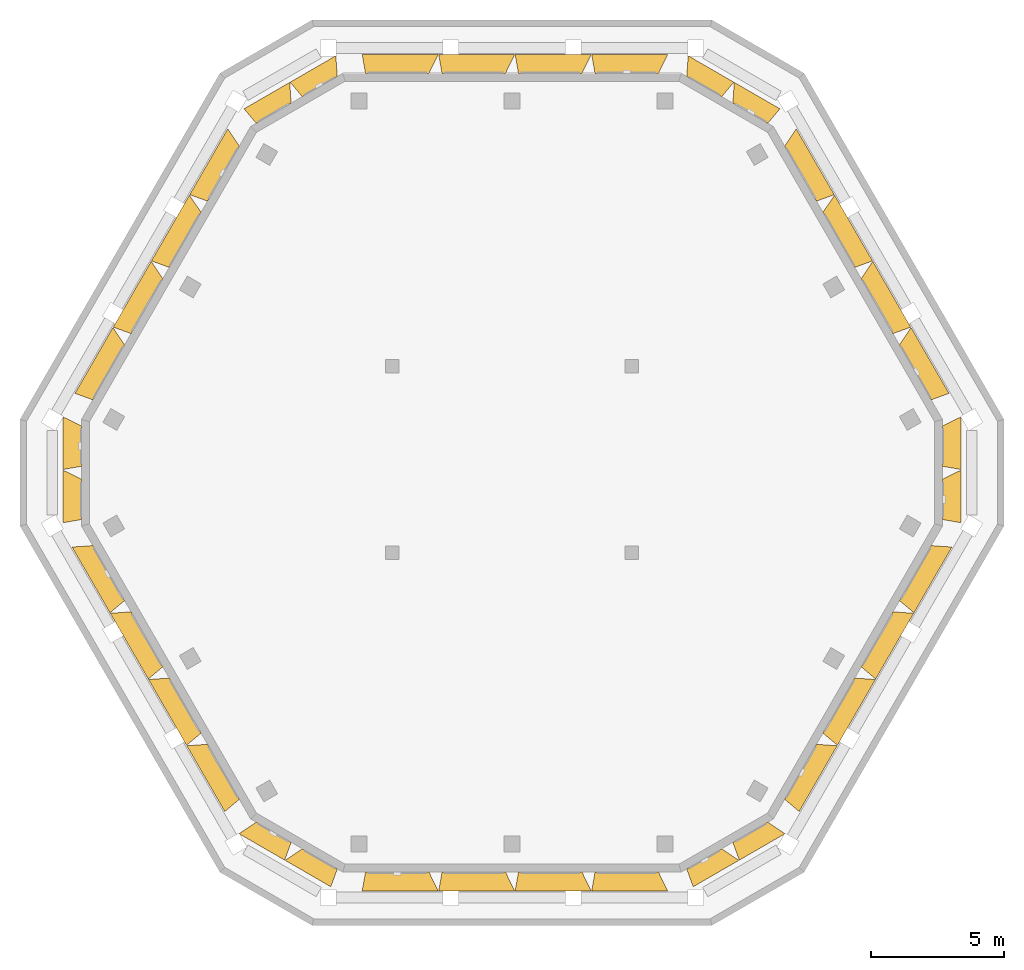
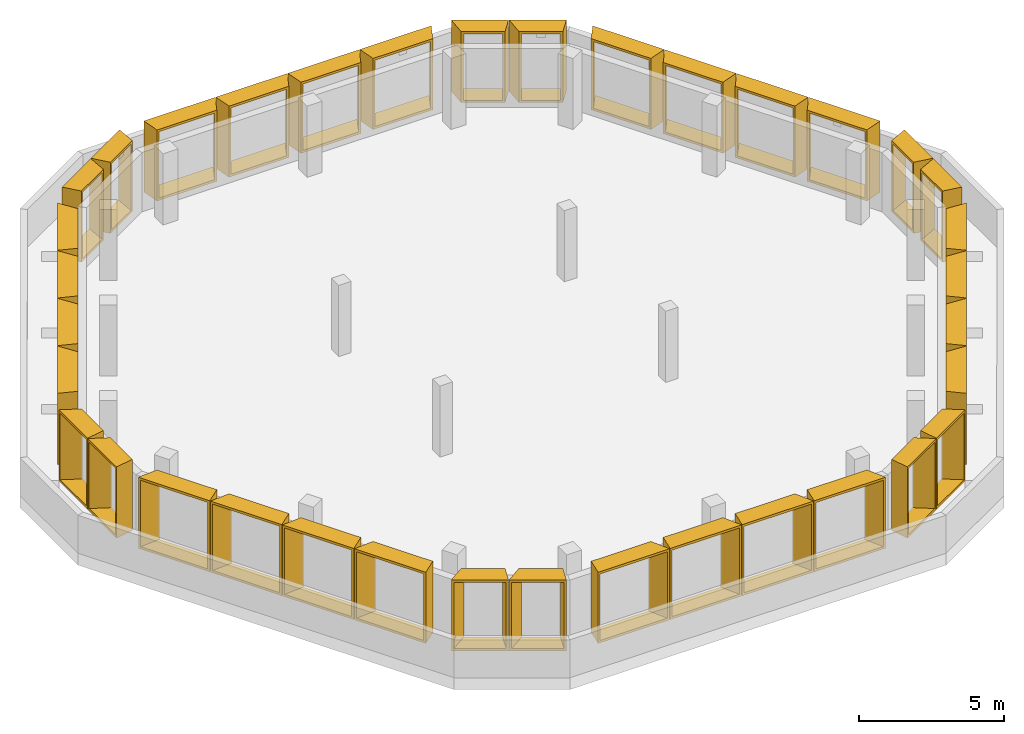
# One storey, part 3 of 3: 36 shading devices.
"""IFC4 building model written with IfcOpenShell, lengths in metres."""

from ifc_helpers import new_model, entity, si_unit, direction, frame, origin, place, context, subcontext, project, spatial, source, transform, mapped, material, type_object, type_shapes, element, save


model = new_model("IFC4")

# Units and contexts
model_context = context("Model", 3, precision=1e-05, world=origin(), true_north=direction((0.0, 1.0)))
body_context = subcontext(model_context, "Body", "Model", "MODEL_VIEW")
ifc_project = project(units=[si_unit("LENGTHUNIT", "METRE"), si_unit("AREAUNIT", "SQUARE_METRE"), si_unit("VOLUMEUNIT", "CUBIC_METRE"), si_unit("PLANEANGLEUNIT", "RADIAN"), si_unit("MASSUNIT", "GRAM", prefix="KILO")], contexts=[model_context])

# Site, building, storey
site_placement = place(None, origin())
site = spatial("IfcSite", under=ifc_project, at=site_placement, CompositionType="ELEMENT")
building_placement = place(site_placement, origin())
building = spatial("IfcBuilding", under=site, at=building_placement, Name="Beryl Residences", CompositionType="ELEMENT")
storey_placement = place(building_placement, frame((0.0, 0.0, 250.800048828125)))
storey = spatial("IfcBuildingStorey", under=building, at=storey_placement, Name="L78", CompositionType="ELEMENT", Elevation=250.800048828125)

# Shading devices
ifc_material_1 = material(Name="Aluminium pale anodised", Category="aluminium")
shading_device_type_1 = type_object("IfcShadingDeviceType", Name="FR200-70B OUTER SKIN frame 700 mm deep, splay 26/10 deg, 2000 x 3000 mm cell", PredefinedType="USERDEFINED", material=ifc_material_1)
cartesian_point_1 = entity("IfcCartesianPoint", [-0.757568359375, 0.0])
cartesian_point_2 = entity("IfcCartesianPoint", [-0.66845703125, 0.10009765625])
cartesian_point_3 = entity("IfcCartesianPoint", [-1.098876953125, 0.0])
cartesian_point_4 = entity("IfcCartesianPoint", [-1.010009765625, 0.10009765625])
shared_shape_1 = source(origin(), body_context, "Body", "SweptSolid", [
    entity("IfcExtrudedAreaSolidTapered", entity("IfcArbitraryProfileDefWithVoids", "AREA", None, entity("IfcPolyline", [cartesian_point_1, entity("IfcCartesianPoint", [0.757568359375, 0.0]), entity("IfcCartesianPoint", [0.757568359375, 3.0]), entity("IfcCartesianPoint", [-0.757568359375, 3.0]), cartesian_point_1]), [entity("IfcPolyline", [cartesian_point_2, entity("IfcCartesianPoint", [0.67626953125, 0.10009765625]), entity("IfcCartesianPoint", [0.67626953125, 2.89990234375]), entity("IfcCartesianPoint", [-0.66845703125, 2.89990234375]), cartesian_point_2])]), entity("IfcAxis2Placement3D", entity("IfcCartesianPoint", [0.0, 0.0, 0.0]), entity("IfcDirection", [0.0, 1.0, 0.0]), entity("IfcDirection", [-1.0, 0.0, 0.0])), entity("IfcDirection", [0.0, 0.0, 1.0]), 0.699951171875, entity("IfcArbitraryProfileDefWithVoids", "AREA", None, entity("IfcPolyline", [cartesian_point_3, entity("IfcCartesianPoint", [0.880859375, 0.0]), entity("IfcCartesianPoint", [0.880859375, 3.0]), entity("IfcCartesianPoint", [-1.098876953125, 3.0]), cartesian_point_3]), [entity("IfcPolyline", [cartesian_point_4, entity("IfcCartesianPoint", [0.7998046875, 0.10009765625]), entity("IfcCartesianPoint", [0.7998046875, 2.89990234375]), entity("IfcCartesianPoint", [-1.010009765625, 2.89990234375]), cartesian_point_4])])),
])
type_shapes(shading_device_type_1, [shared_shape_1])
for number, where, z_axis, x_axis, name in (
    (1, (-7.217041015625, 14.5, 0.0), (0.0, 0.0, 1.0), (0.866025403784, 0.5, 0.0), "FR200-70B frame L78 N-NW 1"),
    (2, (-8.948974609375, 13.5, 0.0), (0.0, 0.0, 1.0), (0.866025403784, 0.5, 0.0), "FR200-70B frame L78 N-NW 2"),
    (3, (-16.166015625, 1.0, 0.0), (0.0, 0.0, 1.0), (0.0, 1.0, 0.0), "FR200-70B frame L78 NW-SW 1"),
    (4, (-16.166015625, -1.0, 0.0), (0.0, 0.0, 1.0), (0.0, 1.0, 0.0), "FR200-70B frame L78 NW-SW 2"),
    (5, (-8.948974609375, -13.5, 0.0), (0.0, 0.0, 1.0), (-0.866025403784, 0.5, 0.0), "FR200-70B frame L78 SW-S 1"),
    (6, (-7.217041015625, -14.5, 0.0), (0.0, 0.0, 1.0), (-0.866025403784, 0.5, 0.0), "FR200-70B frame L78 SW-S 2"),
):
    element("IfcShadingDevice", number, at=place(storey_placement, frame(where, z_axis=z_axis, x_axis=x_axis)), inside=storey, type_object=shading_device_type_1, Name=name, ObjectType="OUTER SKIN", PredefinedType="USERDEFINED", context=body_context, shape_type="MappedRepresentation", body=[
        mapped(shared_shape_1, transform((0.0, 0.0, 0.0))),
    ])
ifc_material_2 = material(Name="Aluminium pale anodised", Category="aluminium")
shading_device_type_2 = type_object("IfcShadingDeviceType", Name="FR200-70C OUTER SKIN frame 700 mm deep, splay 10/26 deg, 2000 x 3000 mm cell", PredefinedType="USERDEFINED", material=ifc_material_2)
cartesian_point_5 = entity("IfcCartesianPoint", [-0.757568359375, 0.0])
cartesian_point_6 = entity("IfcCartesianPoint", [-0.67626953125, 0.10009765625])
cartesian_point_7 = entity("IfcCartesianPoint", [-0.880859375, 0.0])
cartesian_point_8 = entity("IfcCartesianPoint", [-0.7998046875, 0.10009765625])
shared_shape_2 = source(origin(), body_context, "Body", "SweptSolid", [
    entity("IfcExtrudedAreaSolidTapered", entity("IfcArbitraryProfileDefWithVoids", "AREA", None, entity("IfcPolyline", [cartesian_point_5, entity("IfcCartesianPoint", [0.757568359375, 0.0]), entity("IfcCartesianPoint", [0.757568359375, 3.0]), entity("IfcCartesianPoint", [-0.757568359375, 3.0]), cartesian_point_5]), [entity("IfcPolyline", [cartesian_point_6, entity("IfcCartesianPoint", [0.66845703125, 0.10009765625]), entity("IfcCartesianPoint", [0.66845703125, 2.89990234375]), entity("IfcCartesianPoint", [-0.67626953125, 2.89990234375]), cartesian_point_6])]), entity("IfcAxis2Placement3D", entity("IfcCartesianPoint", [0.0, 0.0, 0.0]), entity("IfcDirection", [0.0, 1.0, 0.0]), entity("IfcDirection", [-1.0, 0.0, 0.0])), entity("IfcDirection", [0.0, 0.0, 1.0]), 0.699951171875, entity("IfcArbitraryProfileDefWithVoids", "AREA", None, entity("IfcPolyline", [cartesian_point_7, entity("IfcCartesianPoint", [1.098876953125, 0.0]), entity("IfcCartesianPoint", [1.098876953125, 3.0]), entity("IfcCartesianPoint", [-0.880859375, 3.0]), cartesian_point_7]), [entity("IfcPolyline", [cartesian_point_8, entity("IfcCartesianPoint", [1.010009765625, 0.10009765625]), entity("IfcCartesianPoint", [1.010009765625, 2.89990234375]), entity("IfcCartesianPoint", [-0.7998046875, 2.89990234375]), cartesian_point_8])])),
])
type_shapes(shading_device_type_2, [shared_shape_2])
for number, where, z_axis, x_axis, name in (
    (7, (7.217041015625, -14.5, 0.0), (0.0, 0.0, 1.0), (-0.866025403784, -0.5, 0.0), "FR200-70C frame L78 S-SE 1"),
    (8, (8.948974609375, -13.5, 0.0), (0.0, 0.0, 1.0), (-0.866025403784, -0.5, 0.0), "FR200-70C frame L78 S-SE 2"),
    (9, (16.166015625, -1.0, 0.0), (0.0, 0.0, 1.0), (0.0, -1.0, 0.0), "FR200-70C frame L78 SE-NE 1"),
    (10, (16.166015625, 1.0, 0.0), (0.0, 0.0, 1.0), (0.0, -1.0, 0.0), "FR200-70C frame L78 SE-NE 2"),
    (11, (8.948974609375, 13.5, 0.0), (0.0, 0.0, 1.0), (0.866025403784, -0.5, 0.0), "FR200-70C frame L78 NE-N 1"),
    (12, (7.217041015625, 14.5, 0.0), (0.0, 0.0, 1.0), (0.866025403784, -0.5, 0.0), "FR200-70C frame L78 NE-N 2"),
):
    element("IfcShadingDevice", number, at=place(storey_placement, frame(where, z_axis=z_axis, x_axis=x_axis)), inside=storey, type_object=shading_device_type_2, Name=name, ObjectType="OUTER SKIN", PredefinedType="USERDEFINED", context=body_context, shape_type="MappedRepresentation", body=[
        mapped(shared_shape_2, transform((0.0, 0.0, 0.0))),
    ])
ifc_material_3 = material(Name="Aluminium pale anodised", Category="aluminium")
shading_device_type_3 = type_object("IfcShadingDeviceType", Name="FR287-70B OUTER SKIN frame 700 mm deep, splay 26/10 deg, 2870 x 3000 mm cell", PredefinedType="USERDEFINED", material=ifc_material_3)
cartesian_point_9 = entity("IfcCartesianPoint", [-1.1923828125, 0.0])
cartesian_point_10 = entity("IfcCartesianPoint", [-1.103515625, 0.10009765625])
cartesian_point_11 = entity("IfcCartesianPoint", [-1.533935546875, 0.0])
cartesian_point_12 = entity("IfcCartesianPoint", [-1.44482421875, 0.10009765625])
shared_shape_3 = source(origin(), body_context, "Body", "SweptSolid", [
    entity("IfcExtrudedAreaSolidTapered", entity("IfcArbitraryProfileDefWithVoids", "AREA", None, entity("IfcPolyline", [cartesian_point_9, entity("IfcCartesianPoint", [1.1923828125, 0.0]), entity("IfcCartesianPoint", [1.1923828125, 3.0]), entity("IfcCartesianPoint", [-1.1923828125, 3.0]), cartesian_point_9]), [entity("IfcPolyline", [cartesian_point_10, entity("IfcCartesianPoint", [1.111328125, 0.10009765625]), entity("IfcCartesianPoint", [1.111328125, 2.89990234375]), entity("IfcCartesianPoint", [-1.103515625, 2.89990234375]), cartesian_point_10])]), entity("IfcAxis2Placement3D", entity("IfcCartesianPoint", [0.0, 0.0, 0.0]), entity("IfcDirection", [0.0, 1.0, 0.0]), entity("IfcDirection", [-1.0, 0.0, 0.0])), entity("IfcDirection", [0.0, 0.0, 1.0]), 0.699951171875, entity("IfcArbitraryProfileDefWithVoids", "AREA", None, entity("IfcPolyline", [cartesian_point_11, entity("IfcCartesianPoint", [1.31591796875, 0.0]), entity("IfcCartesianPoint", [1.31591796875, 3.0]), entity("IfcCartesianPoint", [-1.533935546875, 3.0]), cartesian_point_11]), [entity("IfcPolyline", [cartesian_point_12, entity("IfcCartesianPoint", [1.234619140625, 0.10009765625]), entity("IfcCartesianPoint", [1.234619140625, 2.89990234375]), entity("IfcCartesianPoint", [-1.44482421875, 2.89990234375]), cartesian_point_12])])),
])
type_shapes(shading_device_type_3, [shared_shape_3])
for number, where, z_axis, x_axis, name in (
    (13, (4.30908203125, 15.0, 0.0), (0.0, 0.0, 1.0), (1.0, 0.0, 0.0), "FR287-70B frame L78 N 1"),
    (14, (1.43603515625, 15.0, 0.0), (0.0, 0.0, 1.0), (1.0, 0.0, 0.0), "FR287-70B frame L78 N 2"),
    (15, (-1.43603515625, 15.0, 0.0), (0.0, 0.0, 1.0), (1.0, 0.0, 0.0), "FR287-70B frame L78 N 3"),
    (16, (-4.30908203125, 15.0, 0.0), (0.0, 0.0, 1.0), (1.0, 0.0, 0.0), "FR287-70B frame L78 N 4"),
    (17, (-10.8359375, 11.23095703125, 0.0), (0.0, 0.0, 1.0), (0.5, 0.866025403784, 0.0), "FR287-70B frame L78 NW 1"),
    (18, (-12.27294921875, 8.743896484375, 0.0), (0.0, 0.0, 1.0), (0.5, 0.866025403784, 0.0), "FR287-70B frame L78 NW 2"),
    (19, (-13.708984375, 6.256103515625, 0.0), (0.0, 0.0, 1.0), (0.5, 0.866025403784, 0.0), "FR287-70B frame L78 NW 3"),
    (20, (-15.14599609375, 3.76904296875, 0.0), (0.0, 0.0, 1.0), (0.5, 0.866025403784, 0.0), "FR287-70B frame L78 NW 4"),
    (21, (-15.14599609375, -3.76904296875, 0.0), (0.0, 0.0, 1.0), (-0.5, 0.866025403784, 0.0), "FR287-70B frame L78 SW 1"),
    (22, (-13.708984375, -6.256103515625, 0.0), (0.0, 0.0, 1.0), (-0.5, 0.866025403784, 0.0), "FR287-70B frame L78 SW 2"),
    (23, (-12.27294921875, -8.743896484375, 0.0), (0.0, 0.0, 1.0), (-0.5, 0.866025403784, 0.0), "FR287-70B frame L78 SW 3"),
    (24, (-10.8359375, -11.23095703125, 0.0), (0.0, 0.0, 1.0), (-0.5, 0.866025403784, 0.0), "FR287-70B frame L78 SW 4"),
):
    element("IfcShadingDevice", number, at=place(storey_placement, frame(where, z_axis=z_axis, x_axis=x_axis)), inside=storey, type_object=shading_device_type_3, Name=name, ObjectType="OUTER SKIN", PredefinedType="USERDEFINED", context=body_context, shape_type="MappedRepresentation", body=[
        mapped(shared_shape_3, transform((0.0, 0.0, 0.0))),
    ])
ifc_material_4 = material(Name="Aluminium pale anodised", Category="aluminium")
shading_device_type_4 = type_object("IfcShadingDeviceType", Name="FR287-70C OUTER SKIN frame 700 mm deep, splay 10/26 deg, 2870 x 3000 mm cell", PredefinedType="USERDEFINED", material=ifc_material_4)
cartesian_point_13 = entity("IfcCartesianPoint", [-1.1923828125, 0.0])
cartesian_point_14 = entity("IfcCartesianPoint", [-1.111328125, 0.10009765625])
cartesian_point_15 = entity("IfcCartesianPoint", [-1.31591796875, 0.0])
cartesian_point_16 = entity("IfcCartesianPoint", [-1.234619140625, 0.10009765625])
shared_shape_4 = source(origin(), body_context, "Body", "SweptSolid", [
    entity("IfcExtrudedAreaSolidTapered", entity("IfcArbitraryProfileDefWithVoids", "AREA", None, entity("IfcPolyline", [cartesian_point_13, entity("IfcCartesianPoint", [1.1923828125, 0.0]), entity("IfcCartesianPoint", [1.1923828125, 3.0]), entity("IfcCartesianPoint", [-1.1923828125, 3.0]), cartesian_point_13]), [entity("IfcPolyline", [cartesian_point_14, entity("IfcCartesianPoint", [1.103515625, 0.10009765625]), entity("IfcCartesianPoint", [1.103515625, 2.89990234375]), entity("IfcCartesianPoint", [-1.111328125, 2.89990234375]), cartesian_point_14])]), entity("IfcAxis2Placement3D", entity("IfcCartesianPoint", [0.0, 0.0, 0.0]), entity("IfcDirection", [0.0, 1.0, 0.0]), entity("IfcDirection", [-1.0, 0.0, 0.0])), entity("IfcDirection", [0.0, 0.0, 1.0]), 0.699951171875, entity("IfcArbitraryProfileDefWithVoids", "AREA", None, entity("IfcPolyline", [cartesian_point_15, entity("IfcCartesianPoint", [1.533935546875, 0.0]), entity("IfcCartesianPoint", [1.533935546875, 3.0]), entity("IfcCartesianPoint", [-1.31591796875, 3.0]), cartesian_point_15]), [entity("IfcPolyline", [cartesian_point_16, entity("IfcCartesianPoint", [1.44482421875, 0.10009765625]), entity("IfcCartesianPoint", [1.44482421875, 2.89990234375]), entity("IfcCartesianPoint", [-1.234619140625, 2.89990234375]), cartesian_point_16])])),
])
type_shapes(shading_device_type_4, [shared_shape_4])
for number, where, z_axis, x_axis, name in (
    (25, (-4.30908203125, -15.0, 0.0), (0.0, 0.0, 1.0), (-1.0, 0.0, 0.0), "FR287-70C frame L78 S 1"),
    (26, (-1.43603515625, -15.0, 0.0), (0.0, 0.0, 1.0), (-1.0, 0.0, 0.0), "FR287-70C frame L78 S 2"),
    (27, (1.43603515625, -15.0, 0.0), (0.0, 0.0, 1.0), (-1.0, 0.0, 0.0), "FR287-70C frame L78 S 3"),
    (28, (4.30908203125, -15.0, 0.0), (0.0, 0.0, 1.0), (-1.0, 0.0, 0.0), "FR287-70C frame L78 S 4"),
    (29, (10.8359375, -11.23095703125, 0.0), (0.0, 0.0, 1.0), (-0.5, -0.866025403784, 0.0), "FR287-70C frame L78 SE 1"),
    (30, (12.27294921875, -8.743896484375, 0.0), (0.0, 0.0, 1.0), (-0.5, -0.866025403784, 0.0), "FR287-70C frame L78 SE 2"),
    (31, (13.708984375, -6.256103515625, 0.0), (0.0, 0.0, 1.0), (-0.5, -0.866025403784, 0.0), "FR287-70C frame L78 SE 3"),
    (32, (15.14599609375, -3.76904296875, 0.0), (0.0, 0.0, 1.0), (-0.5, -0.866025403784, 0.0), "FR287-70C frame L78 SE 4"),
    (33, (15.14599609375, 3.76904296875, 0.0), (0.0, 0.0, 1.0), (0.5, -0.866025403784, 0.0), "FR287-70C frame L78 NE 1"),
    (34, (13.708984375, 6.256103515625, 0.0), (0.0, 0.0, 1.0), (0.5, -0.866025403784, 0.0), "FR287-70C frame L78 NE 2"),
    (35, (12.27294921875, 8.743896484375, 0.0), (0.0, 0.0, 1.0), (0.5, -0.866025403784, 0.0), "FR287-70C frame L78 NE 3"),
    (36, (10.8359375, 11.23095703125, 0.0), (0.0, 0.0, 1.0), (0.5, -0.866025403784, 0.0), "FR287-70C frame L78 NE 4"),
):
    element("IfcShadingDevice", number, at=place(storey_placement, frame(where, z_axis=z_axis, x_axis=x_axis)), inside=storey, type_object=shading_device_type_4, Name=name, ObjectType="OUTER SKIN", PredefinedType="USERDEFINED", context=body_context, shape_type="MappedRepresentation", body=[
        mapped(shared_shape_4, transform((0.0, 0.0, 0.0))),
    ])

save(model, "model.ifc")
